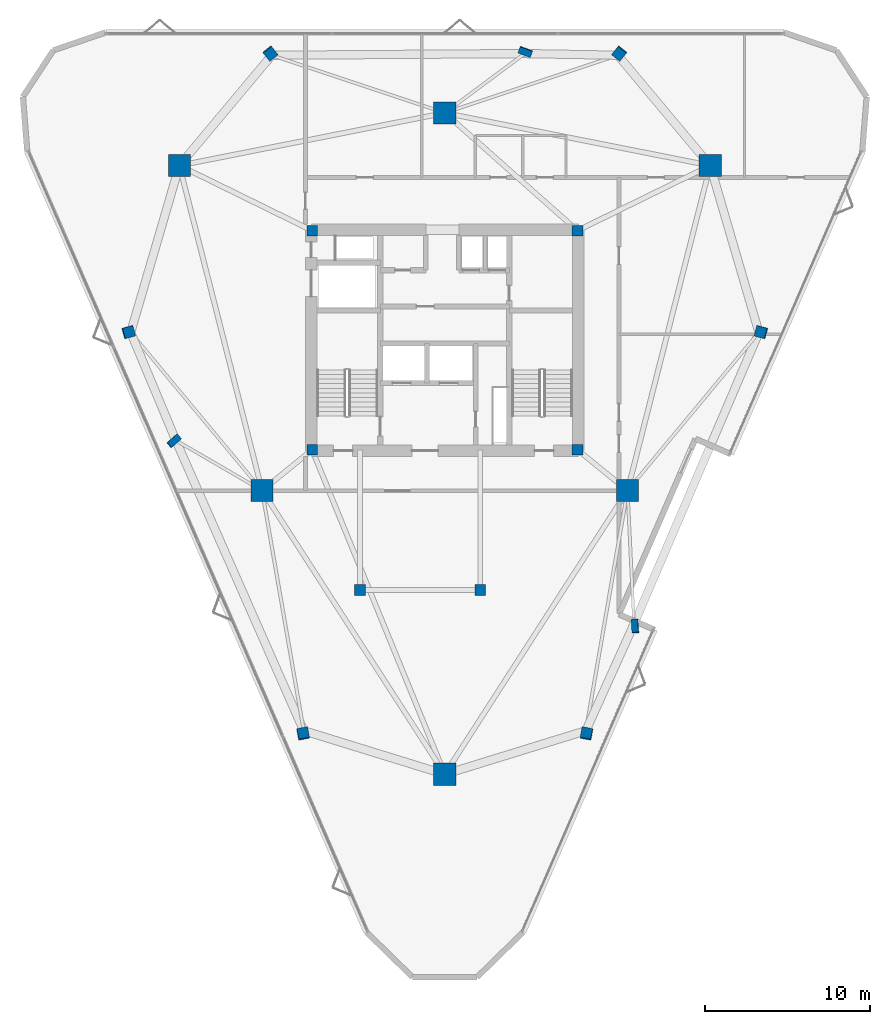
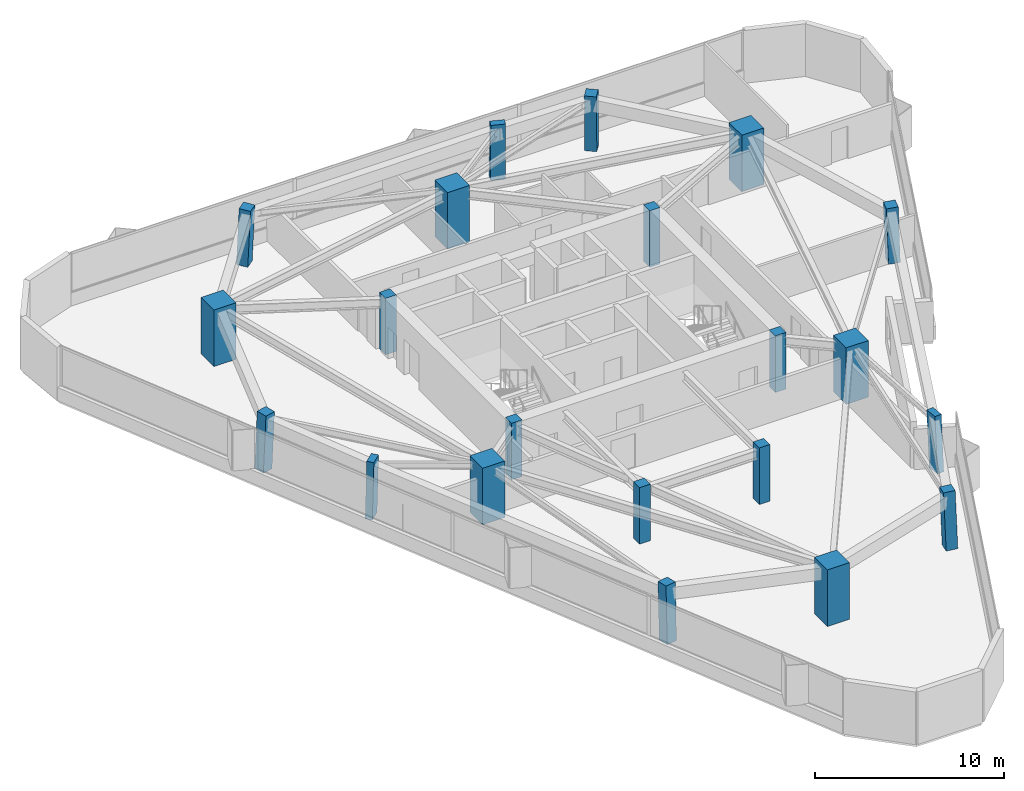
# One storey, part 1 of 9: 21 columns.
"""IFC4 building model written with IfcOpenShell, lengths in metres."""

from ifc_helpers import new_model, si_unit, direction, frame, origin, origin_2d, place, context, subcontext, project, spatial, rectangle, extrude, material, material_profile, profile_set, type_object, element, save


model = new_model("IFC4")

# Units and contexts
model_context = context("Model", 3, precision=1e-05, world=origin(), true_north=direction((0.0, 1.0)))
body_context = subcontext(model_context, "Body", "Model", "MODEL_VIEW")
ifc_project = project(units=[si_unit("LENGTHUNIT", "METRE"), si_unit("AREAUNIT", "SQUARE_METRE"), si_unit("VOLUMEUNIT", "CUBIC_METRE"), si_unit("PLANEANGLEUNIT", "RADIAN"), si_unit("MASSUNIT", "GRAM", prefix="KILO")], contexts=[model_context])

# Site, building, storey
site_placement = place(None, origin())
site = spatial("IfcSite", under=ifc_project, at=site_placement, CompositionType="ELEMENT")
building_placement = place(site_placement, origin())
building = spatial("IfcBuilding", under=site, at=building_placement, Name="Talyreon Biosciences Tower", CompositionType="ELEMENT")
storey_placement = place(building_placement, frame((0.0, 0.0, 208.60009765625)))
storey = spatial("IfcBuildingStorey", under=building, at=storey_placement, Name="L55", CompositionType="ELEMENT", Elevation=208.60009765625)

# Columns
ifc_material_1 = material(Name="Precast concrete C45/55", Category="concrete")
ifc_material_profile_1 = material_profile(ifc_material_1, rectangle(XDim=0.800048828125, YDim=0.39990234375, at=origin_2d()), Name="RC 800x400")
ifc_profile_set_1 = profile_set([ifc_material_profile_1], Name="Precast concrete C45/55")
column_type_1 = type_object("IfcColumnType", Name="FacadePilaster_800x400", PredefinedType="PILASTER", material=ifc_profile_set_1)
column_1_placement = place(storey_placement, frame((77.54931640625, 50.6357421875, 0.0029296875), z_axis=(-0.019545044433, 0.038353802945, 0.999073058909), x_axis=(0.060946971789, -0.997359899141, 0.039480352269)))
element("IfcColumn", 1, at=column_1_placement, inside=storey, type_object=column_type_1, Name="L55 Facade Pilaster PL-SE", PredefinedType="PILASTER", context=body_context, shape_type="SweptSolid", body=[
    extrude(rectangle(XDim=0.800048828125, YDim=0.39990234375, at=origin_2d()), origin(), (0.0, 0.0, 1.0), 3.6474609375),
])
column_2_placement = place(storey_placement, frame((70.890380859375, 85.512939453125, 0.0029296875), z_axis=(-0.01238655289, -0.033544124313, 0.999360478022), x_axis=(-0.9380871136, 0.346399433166, 0.0)))
element("IfcColumn", 2, at=column_2_placement, inside=storey, type_object=column_type_1, Name="L55 Facade Pilaster PL-N", PredefinedType="PILASTER", context=body_context, shape_type="SweptSolid", body=[
    extrude(rectangle(XDim=0.800048828125, YDim=0.39990234375, at=origin_2d()), origin(), (0.0, 0.0, 1.0), 3.646484375),
])
column_3_placement = place(storey_placement, frame((49.56005859375, 61.889892578125, 0.0029296875), z_axis=(0.032006454348, 0.010579539303, 0.999431668614), x_axis=(0.745237083064, 0.666082457874, -0.030916813215)))
element("IfcColumn", 3, at=column_3_placement, inside=storey, type_object=column_type_1, Name="L55 Facade Pilaster PL-SW", PredefinedType="PILASTER", context=body_context, shape_type="SweptSolid", body=[
    extrude(rectangle(XDim=0.800048828125, YDim=0.39990234375, at=origin_2d()), origin(), (0.0, 0.0, 1.0), 3.64599609375),
])
ifc_material_2 = material(Name="Concrete C50/60", Category="concrete")
ifc_material_profile_2 = material_profile(ifc_material_2, rectangle(XDim=1.35009765625, YDim=1.35009765625, at=origin_2d()), Name="RC 1350x1350")
ifc_profile_set_2 = profile_set([ifc_material_profile_2], Name="Concrete C50/60")
column_type_2 = type_object("IfcColumnType", Name="MegaColumn_1350", PredefinedType="COLUMN", material=ifc_profile_set_2)
for number, where, z_axis, x_axis, name in (
    (4, (66.0, 41.6669921875, 0.0), (0.0, 0.0, 1.0), (1.0, 0.0, 0.0), "L55 Composite Mega-Column MC1"),
    (5, (82.102294921875, 78.5986328125, 0.0), (0.0, 0.0, 1.0), (1.0, 0.0, 0.0), "L55 Composite Mega-Column MC2"),
    (6, (49.897705078125, 78.5986328125, 0.0), (0.0, 0.0, 1.0), (1.0, 0.0, 0.0), "L55 Composite Mega-Column MC3"),
    (7, (77.086181640625, 58.88037109375, 0.0), (0.0, 0.0, 1.0), (1.0, 0.0, 0.0), "L55 Composite Mega-Column MC4"),
    (8, (66.0, 81.788818359375, 0.0), (0.0, 0.0, 1.0), (1.0, 0.0, 0.0), "L55 Composite Mega-Column MC5"),
    (9, (54.913818359375, 58.88037109375, 0.0), (0.0, 0.0, 1.0), (1.0, 0.0, 0.0), "L55 Composite Mega-Column MC6"),
):
    element("IfcColumn", number, at=place(storey_placement, frame(where, z_axis=z_axis, x_axis=x_axis)), inside=storey, type_object=column_type_2, Name=name, PredefinedType="COLUMN", context=body_context, shape_type="SweptSolid", body=[
        extrude(rectangle(XDim=1.35009765625, YDim=1.35009765625, at=origin_2d()), origin(), (0.0, 0.0, 1.0), 3.64990234375),
    ])
ifc_material_profile_3 = material_profile(ifc_material_2, rectangle(XDim=0.64990234375, YDim=0.64990234375, at=origin_2d()), Name="RC 650x650")
ifc_profile_set_3 = profile_set([ifc_material_profile_3], Name="Concrete C50/60")
column_type_3 = type_object("IfcColumnType", Name="PerimeterColumn_650", PredefinedType="COLUMN", material=ifc_profile_set_3)
for number, where, z_axis, x_axis, name in (
    (10, (57.949951171875, 61.35009765625, 0.0), (0.0, 0.0, 1.0), (1.0, 0.0, 0.0), "L55 Core Column CC1"),
    (11, (74.050048828125, 61.35009765625, 0.0), (0.0, 0.0, 1.0), (1.0, 0.0, 0.0), "L55 Core Column CC2"),
    (12, (74.050048828125, 74.64990234375, 0.0), (0.0, 0.0, 1.0), (1.0, 0.0, 0.0), "L55 Core Column CC3"),
    (13, (57.949951171875, 74.64990234375, 0.0), (0.0, 0.0, 1.0), (1.0, 0.0, 0.0), "L55 Core Column CC4"),
    (14, (60.85009765625, 52.840087890625, 0.0), (0.0, 0.0, 1.0), (1.0, 0.0, 0.0), "L55 Core Column CSW"),
    (15, (68.14990234375, 52.840087890625, 0.0), (0.0, 0.0, 1.0), (1.0, 0.0, 0.0), "L55 Core Column CSE"),
):
    element("IfcColumn", number, at=place(storey_placement, frame(where, z_axis=z_axis, x_axis=x_axis)), inside=storey, type_object=column_type_3, Name=name, PredefinedType="COLUMN", context=body_context, shape_type="SweptSolid", body=[
        extrude(rectangle(XDim=0.64990234375, YDim=0.64990234375, at=origin_2d()), origin(), (0.0, 0.0, 1.0), 3.64990234375),
    ])
column_4_placement = place(storey_placement, frame((74.60498046875, 44.11083984375, 0.0029296875), z_axis=(-0.012375141264, 0.054450621561, 0.998439775695), x_axis=(-0.185687627954, -0.981273325866, 0.051212935554)))
element("IfcColumn", 16, at=column_4_placement, inside=storey, type_object=column_type_3, Name="L55 Tapering Perimeter Column PC-SE1", PredefinedType="COLUMN", context=body_context, shape_type="SweptSolid", body=[
    extrude(rectangle(XDim=0.64990234375, YDim=0.64990234375, at=origin_2d()), origin(), (0.0, 0.0, 1.0), 3.649658203125),
])
column_5_placement = place(storey_placement, frame((85.200927734375, 68.49462890625, 0.0029296875), z_axis=(-0.039229508262, -0.005623342481, 0.999214403269), x_axis=(0.963708104832, -0.264472257027, 0.03634713117)))
element("IfcColumn", 17, at=column_5_placement, inside=storey, type_object=column_type_3, Name="L55 Tapering Perimeter Column PC-SE2", PredefinedType="COLUMN", context=body_context, shape_type="SweptSolid", body=[
    extrude(rectangle(XDim=0.64990234375, YDim=0.64990234375, at=origin_2d()), origin(), (0.0, 0.0, 1.0), 3.64697265625),
])
for number, where, z_axis, x_axis, name in (
    (18, (76.595947265625, 85.412841796875, 0.0029296875), (-0.026841136432, -0.033467751162, 0.999079307676), (-0.780107149771, 0.625645934116, 0.0), "L55 Tapering Perimeter Column PC-N1"),
    (19, (55.404052734375, 85.412841796875, 0.0029296875), (0.026841136432, -0.033467751162, 0.999079307676), (-0.780107149771, -0.625645934116, 0.0), "L55 Tapering Perimeter Column PC-N2"),
):
    element("IfcColumn", number, at=place(storey_placement, frame(where, z_axis=z_axis, x_axis=x_axis)), inside=storey, type_object=column_type_3, Name=name, PredefinedType="COLUMN", context=body_context, shape_type="SweptSolid", body=[
        extrude(rectangle(XDim=0.64990234375, YDim=0.64990234375, at=origin_2d()), origin(), (0.0, 0.0, 1.0), 3.6474609375),
    ])
column_6_placement = place(storey_placement, frame((46.799072265625, 68.49462890625, 0.0029296875), z_axis=(0.039229508262, -0.005623342481, 0.999214403269), x_axis=(0.963708104832, 0.264472257027, -0.03634713117)))
element("IfcColumn", 20, at=column_6_placement, inside=storey, type_object=column_type_3, Name="L55 Tapering Perimeter Column PC-SW1", PredefinedType="COLUMN", context=body_context, shape_type="SweptSolid", body=[
    extrude(rectangle(XDim=0.64990234375, YDim=0.64990234375, at=origin_2d()), origin(), (0.0, 0.0, 1.0), 3.64697265625),
])
column_7_placement = place(storey_placement, frame((57.39501953125, 44.11083984375, 0.0029296875), z_axis=(0.012375141264, 0.054450621561, 0.998439775695), x_axis=(-0.185687627954, 0.981273325866, -0.051212935554)))
element("IfcColumn", 21, at=column_7_placement, inside=storey, type_object=column_type_3, Name="L55 Tapering Perimeter Column PC-SW2", PredefinedType="COLUMN", context=body_context, shape_type="SweptSolid", body=[
    extrude(rectangle(XDim=0.64990234375, YDim=0.64990234375, at=origin_2d()), origin(), (0.0, 0.0, 1.0), 3.649658203125),
])

save(model, "model.ifc")
